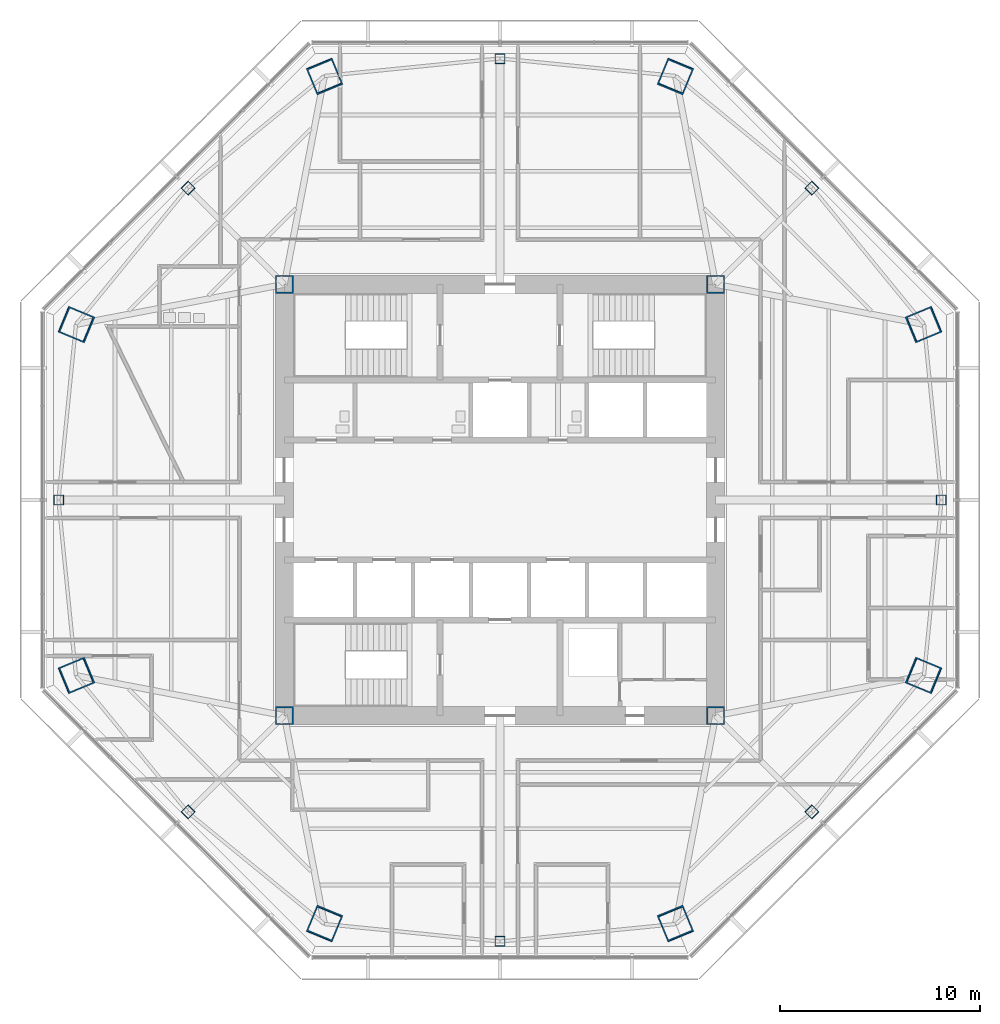
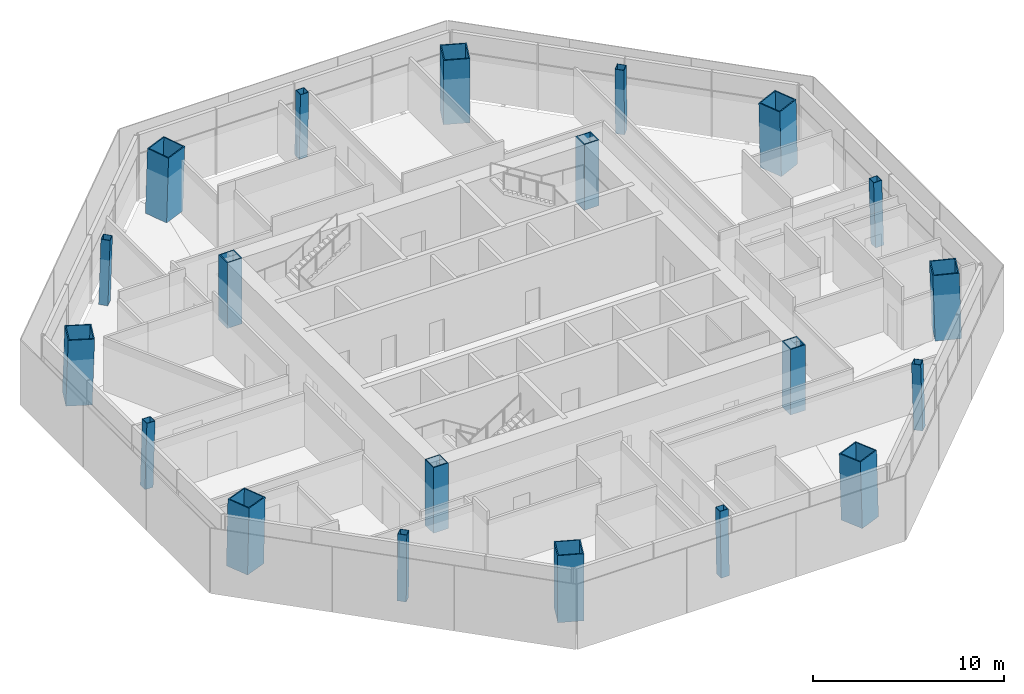
# One storey, part 1 of 14: 20 columns.
"""IFC4 building model written with IfcOpenShell, lengths in metres."""

from ifc_helpers import new_model, si_unit, direction, frame, origin, origin_2d, place, context, subcontext, project, spatial, hollow_rectangle, extrude, material, material_profile, profile_set, type_object, element, save


model = new_model("IFC4")

# Units and contexts
model_context = context("Model", 3, precision=1e-05, world=origin(), true_north=direction((0.0, 1.0)))
body_context = subcontext(model_context, "Body", "Model", "MODEL_VIEW")
ifc_project = project(units=[si_unit("LENGTHUNIT", "METRE"), si_unit("AREAUNIT", "SQUARE_METRE"), si_unit("VOLUMEUNIT", "CUBIC_METRE"), si_unit("PLANEANGLEUNIT", "RADIAN"), si_unit("MASSUNIT", "GRAM", prefix="KILO")], contexts=[model_context])

# Site, building, storey
site_placement = place(None, origin())
site = spatial("IfcSite", under=ifc_project, at=site_placement, CompositionType="ELEMENT")
building_placement = place(site_placement, origin())
building = spatial("IfcBuilding", under=site, at=building_placement, Name="Mashrafa Tower", CompositionType="ELEMENT")
storey_placement = place(building_placement, frame((0.0, 0.0, 180.60009765625)))
storey = spatial("IfcBuildingStorey", under=building, at=storey_placement, Name="L41", CompositionType="ELEMENT", Elevation=180.60009765625)

# Columns
ifc_material_1 = material(Name="Steel ASTM A572 Gr 50", Category="steel")
ifc_material_profile_1 = material_profile(ifc_material_1, hollow_rectangle(XDim=0.89990234375, YDim=0.89990234375, WallThickness=0.06005859375, at=origin_2d()), Name="BOX900X900X60")
ifc_profile_set_1 = profile_set([ifc_material_profile_1], Name="Steel ASTM A572 Gr 50")
column_type_1 = type_object("IfcColumnType", Name="Core corner column BOX900X900X60", PredefinedType="COLUMN", material=ifc_profile_set_1)
for number, where, z_axis, x_axis, name in (
    (1, (10.800048828125, 10.800048828125, 0.0), (0.0, 0.0, 1.0), (1.0, 0.0, 0.0), "Core corner column CC-NE L41"),
    (2, (-10.800048828125, 10.800048828125, 0.0), (0.0, 0.0, 1.0), (1.0, 0.0, 0.0), "Core corner column CC-NW L41"),
    (3, (-10.800048828125, -10.800048828125, 0.0), (0.0, 0.0, 1.0), (1.0, 0.0, 0.0), "Core corner column CC-SW L41"),
    (4, (10.800048828125, -10.800048828125, 0.0), (0.0, 0.0, 1.0), (1.0, 0.0, 0.0), "Core corner column CC-SE L41"),
):
    element("IfcColumn", number, at=place(storey_placement, frame(where, z_axis=z_axis, x_axis=x_axis)), inside=storey, type_object=column_type_1, Name=name, PredefinedType="COLUMN", context=body_context, shape_type="SweptSolid", body=[
        extrude(hollow_rectangle(XDim=0.89990234375, YDim=0.89990234375, WallThickness=0.06005859375, at=origin_2d()), origin(), (0.0, 0.0, 1.0), 4.199951171875),
    ])
ifc_material_2 = material(Name="Steel ASTM A572 Gr 50", Category="steel")
ifc_material_profile_2 = material_profile(ifc_material_2, hollow_rectangle(XDim=1.39990234375, YDim=1.39990234375, WallThickness=0.06494140625, at=origin_2d()), Name="BOX1400X1400X65")
ifc_profile_set_2 = profile_set([ifc_material_profile_2], Name="Steel ASTM A572 Gr 50")
column_type_2 = type_object("IfcColumnType", Name="Mega column CFST BOX1400X1400X65", PredefinedType="COLUMN", material=ifc_profile_set_2)
for number, where, z_axis, x_axis, name in (
    (5, (21.2275390625, 8.792724609375, 0.0), (-0.028237693676, -0.011678552323, 0.999533012997), (0.382183844423, -0.924086310396, 0.0), "Mega column MC1 L41"),
    (6, (8.792724609375, 21.2275390625, 0.0), (-0.011678552323, -0.028237693676, 0.999533012997), (0.924086310396, -0.382183844423, 0.0), "Mega column MC2 L41"),
    (7, (-8.792724609375, 21.2275390625, 0.0), (0.011678552323, -0.028237693676, 0.999533012997), (0.924086310396, 0.382183844423, 0.0), "Mega column MC3 L41"),
    (8, (-21.2275390625, 8.792724609375, 0.0), (0.028237693676, -0.011678552323, 0.999533012997), (0.382183844423, 0.924086310396, 0.0), "Mega column MC4 L41"),
    (9, (-21.2275390625, -8.792724609375, 0.0), (0.028237693676, 0.011678552323, 0.999533012997), (-0.382183844423, 0.924086310396, 0.0), "Mega column MC5 L41"),
    (10, (-8.792724609375, -21.2275390625, 0.0), (0.011678552323, 0.028237693676, 0.999533012997), (-0.924086310396, 0.382183844423, 0.0), "Mega column MC6 L41"),
    (11, (8.792724609375, -21.2275390625, 0.0), (-0.011678552323, 0.028237693676, 0.999533012997), (-0.924086310396, -0.382183844423, 0.0), "Mega column MC7 L41"),
    (12, (21.2275390625, -8.792724609375, 0.0), (-0.028237693676, 0.011678552323, 0.999533012997), (-0.382183844423, -0.924086310396, 0.0), "Mega column MC8 L41"),
):
    element("IfcColumn", number, at=place(storey_placement, frame(where, z_axis=z_axis, x_axis=x_axis)), inside=storey, type_object=column_type_2, Name=name, PredefinedType="COLUMN", context=body_context, shape_type="SweptSolid", body=[
        extrude(hollow_rectangle(XDim=1.39990234375, YDim=1.39990234375, WallThickness=0.06494140625, at=origin_2d()), origin(), (0.0, 0.0, 1.0), 4.201904296875),
    ])
ifc_material_3 = material(Name="Steel ASTM A572 Gr 50", Category="steel")
ifc_material_profile_3 = material_profile(ifc_material_3, hollow_rectangle(XDim=0.5, YDim=0.5, WallThickness=0.02490234375, at=origin_2d()), Name="BOX500X500X25")
ifc_profile_set_3 = profile_set([ifc_material_profile_3], Name="Steel ASTM A572 Gr 50")
column_type_3 = type_object("IfcColumnType", Name="Secondary column BOX500X500X25", PredefinedType="COLUMN", material=ifc_profile_set_3)
for number, where, z_axis, x_axis, name in (
    (13, (22.105712890625, 0.0, 0.0), (-0.028239619523, 0.0, 0.999601182417), (0.0, -1.0, 0.0), "Secondary column SC1 L41"),
    (14, (15.631103515625, 15.631103515625, 0.0), (-0.019988521213, -0.019988521213, 0.999600379171), (0.707106781187, -0.707106781187, 0.0), "Secondary column SC2 L41"),
    (15, (0.0, 22.105712890625, 0.0), (0.0, -0.028239619523, 0.999601182417), (1.0, 0.0, 0.0), "Secondary column SC3 L41"),
    (16, (-15.631103515625, 15.631103515625, 0.0), (0.019988521213, -0.019988521213, 0.999600379171), (0.707106781187, 0.707106781187, 0.0), "Secondary column SC4 L41"),
    (17, (-22.105712890625, 0.0, 0.0), (0.028239619523, 0.0, 0.999601182417), (0.0, 1.0, 0.0), "Secondary column SC5 L41"),
    (18, (-15.631103515625, -15.631103515625, 0.0), (0.019988521213, 0.019988521213, 0.999600379171), (-0.707106781187, 0.707106781187, 0.0), "Secondary column SC6 L41"),
    (19, (0.0, -22.105712890625, 0.0), (0.0, 0.028239619523, 0.999601182417), (-1.0, 0.0, 0.0), "Secondary column SC7 L41"),
    (20, (15.631103515625, -15.631103515625, 0.0), (-0.019988521213, 0.019988521213, 0.999600379171), (-0.707106781187, -0.707106781187, 0.0), "Secondary column SC8 L41"),
):
    element("IfcColumn", number, at=place(storey_placement, frame(where, z_axis=z_axis, x_axis=x_axis)), inside=storey, type_object=column_type_3, Name=name, PredefinedType="COLUMN", context=body_context, shape_type="SweptSolid", body=[
        extrude(hollow_rectangle(XDim=0.5, YDim=0.5, WallThickness=0.02490234375, at=origin_2d()), origin(), (0.0, 0.0, 1.0), 4.20166015625),
    ])

save(model, "model.ifc")
